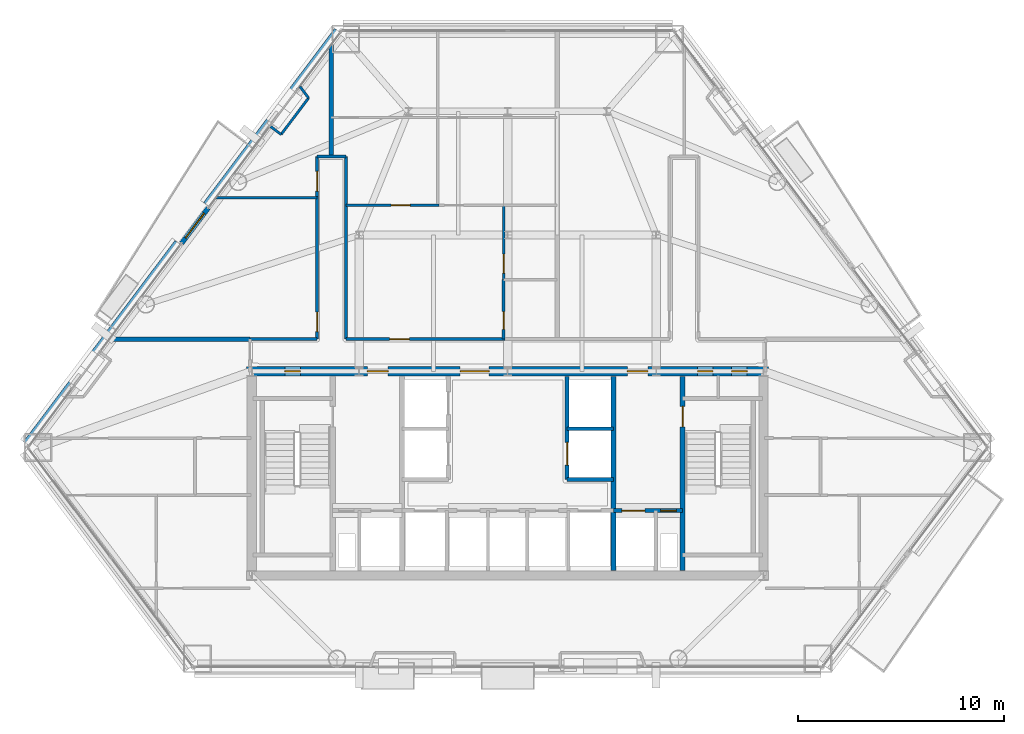
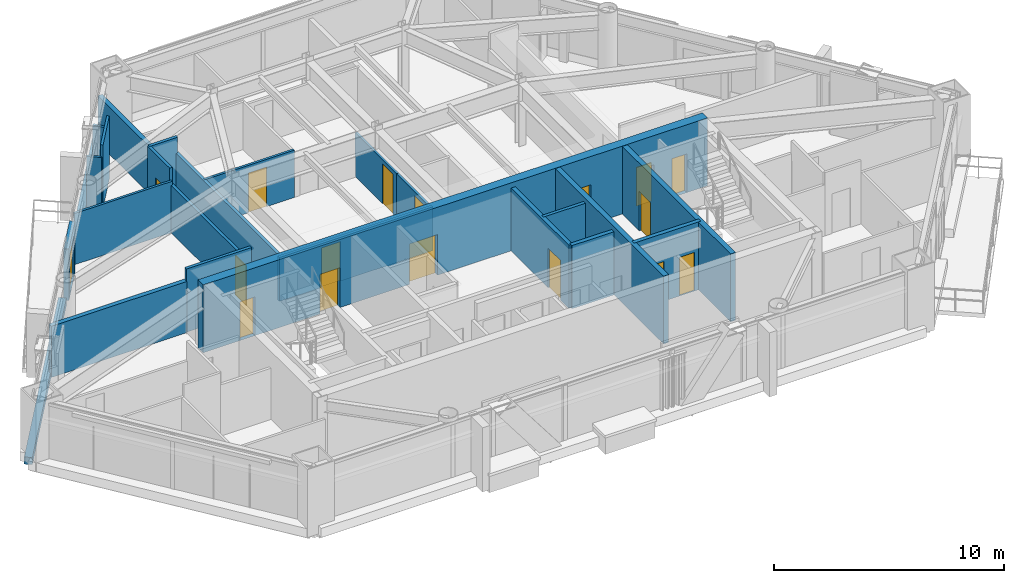
# One storey, part 7 of 11: 25 walls, 17 doors, 17 openings.
"""IFC4 building model written with IfcOpenShell, lengths in metres."""

from ifc_helpers import new_model, si_unit, direction, frame, frame_2d, origin, place, context, subcontext, project, spatial, rectangle, extrude, material, layer, layer_set, type_object, element, fill, save


model = new_model("IFC4")

# Units and contexts
model_context = context("Model", 3, precision=1e-05, world=origin(), true_north=direction((0.0, 1.0)))
body_context = subcontext(model_context, "Body", "Model", "MODEL_VIEW")
ifc_project = project(units=[si_unit("LENGTHUNIT", "METRE"), si_unit("AREAUNIT", "SQUARE_METRE"), si_unit("VOLUMEUNIT", "CUBIC_METRE"), si_unit("PLANEANGLEUNIT", "RADIAN"), si_unit("MASSUNIT", "GRAM", prefix="KILO")], contexts=[model_context])

# Site, building, storey
site_placement = place(None, origin())
site = spatial("IfcSite", under=ifc_project, at=site_placement, CompositionType="ELEMENT")
building_placement = place(site_placement, origin())
building = spatial("IfcBuilding", under=site, at=building_placement, Name="Talgorran Terracotta Tower", CompositionType="ELEMENT")
storey_placement = place(building_placement, frame((0.0, 0.0, 42.300048828125)))
storey = spatial("IfcBuildingStorey", under=building, at=storey_placement, Name="L10", CompositionType="ELEMENT", Elevation=42.300048828125)

# Wall, opening, door
ifc_material_1 = material(Name="Concrete C40/50", Category="concrete")
ifc_layer_1 = layer(ifc_material_1, 0.239990234375, Name="WT_BALCONY_SPAND")
ifc_layer_set_1 = layer_set([ifc_layer_1], Name="Concrete C40/50")
wall_type_1 = type_object("IfcWallType", Name="WT_BALCONY_SPAND", PredefinedType="STANDARD", material=ifc_layer_set_1)
wall_1_placement = place(storey_placement, frame((-14.518310546875, 3.71337890625, -0.01513671875), z_axis=(0.0, 0.0, 1.0), x_axis=(-0.601696267697, -0.79872498486, 0.0)))
wall_1 = element("IfcWall", 1, at=wall_1_placement, inside=storey, type_object=wall_type_1, Name="WL-L10-BALP-BAL-NW", PredefinedType="STANDARD", context=body_context, shape_type="SweptSolid", body=[
    extrude(rectangle(XDim=2.139892578125, YDim=0.239990234375, at=frame_2d((1.06982421875, 0.0))), origin(), (0.0, 0.0, 1.0), 2.728515625),
])
opening_1_placement = place(wall_1_placement, frame((0.320068359375, 0.0, 0.014892578125)))
opening_1 = element("IfcOpeningElement", 2, at=opening_1_placement, cuts=wall_1, Name="Opening D-BAL-L10-2", PredefinedType="OPENING", context=body_context, shape_type="SweptSolid", body=[
    extrude(rectangle(XDim=1.506, YDim=2.203951171875, at=frame_2d((0.75, 1.10205078125))), frame((0.0, 0.1298828125, 0.0), z_axis=(0.0, -1.0, 0.0), x_axis=(1.0, 0.0, 0.0)), (0.0, 0.0, 1.0), 0.260009765625),
])
ifc_material_2 = material(Name="Thermally Broken Aluminium", Category="aluminium")
door_type_1 = type_object("IfcDoorType", Name="DT_BALC_1500", OperationType="SLIDING_TO_RIGHT", PredefinedType="DOOR", material=ifc_material_2)
door_1_placement = place(opening_1_placement, origin())
door_1 = element("IfcDoor", 3, at=door_1_placement, inside=storey, type_object=door_type_1, Name="DR-L10-BAL-BAL-NW", OperationType="SLIDING_TO_RIGHT", OverallHeight=2.199951171875, OverallWidth=1.5, PredefinedType="DOOR", context=body_context, shape_type="SweptSolid", body=[
    extrude(rectangle(XDim=1.5, YDim=2.199951171875, at=frame_2d((0.75, 1.10009765625))), frame((0.0, 0.02490234375, 0.0), z_axis=(0.0, -1.0, 0.0), x_axis=(1.0, 0.0, 0.0)), (0.0, 0.0, 1.0), 0.050048828125),
])
fill(opening_1, door_1)

# Wall, openings, doors
ifc_material_3 = material(Name="Concrete C50/60", Category="concrete")
ifc_layer_2 = layer(ifc_material_3, 0.199951171875, Name="WT_CORE_200")
ifc_layer_set_2 = layer_set([ifc_layer_2], Name="Concrete C50/60")
wall_type_2 = type_object("IfcWallType", Name="WT_CORE_200", PredefinedType="SOLIDWALL", material=ifc_layer_set_2)
wall_2_placement = place(storey_placement, frame((5.1201171875, -10.949951171875, 0.0), z_axis=(0.0, 0.0, 1.0), x_axis=(1.0, 0.0, 0.0)))
wall_2 = element("IfcWall", 4, at=wall_2_placement, inside=storey, type_object=wall_type_2, Name="WL-L10-CW-H-SBE", PredefinedType="SOLIDWALL", context=body_context, shape_type="SweptSolid", body=[
    extrude(rectangle(XDim=3.35986328125, YDim=0.199951171875, at=frame_2d((1.679931640625, 0.0))), origin(), (0.0, 0.0, 1.0), 3.599853515625),
])
opening_2_placement = place(wall_2_placement, frame((0.419921875, 0.0, 0.0)))
opening_2 = element("IfcOpeningElement", 5, at=opening_2_placement, cuts=wall_2, Name="Opening LD-FFL2", PredefinedType="OPENING", context=body_context, shape_type="SweptSolid", body=[
    extrude(rectangle(XDim=1.10609765625, YDim=2.10409765625, at=frame_2d((0.550048828125, 1.052001953125))), frame((0.0, 0.10986328125, 0.0), z_axis=(0.0, -1.0, 0.0), x_axis=(1.0, 0.0, 0.0)), (0.0, 0.0, 1.0), 0.219970703125),
])
opening_3_placement = place(wall_2_placement, frame((2.300048828125, 0.0, 0.0)))
opening_3 = element("IfcOpeningElement", 6, at=opening_3_placement, cuts=wall_2, Name="Opening DR-RSE", PredefinedType="OPENING", context=body_context, shape_type="SweptSolid", body=[
    extrude(rectangle(XDim=0.756, YDim=2.054048828125, at=frame_2d((0.375, 1.027099609375))), frame((0.0, 0.10986328125, 0.0), z_axis=(0.0, -1.0, 0.0), x_axis=(1.0, 0.0, 0.0)), (0.0, 0.0, 1.0), 0.219970703125),
])
ifc_material_4 = material(Name="Brushed Stainless Steel Grade 304", Category="steel")
door_type_2 = type_object("IfcDoorType", Name="DT_LIFT_LD1100", OperationType="DOUBLE_DOOR_SLIDING", PredefinedType="DOOR", material=ifc_material_4)
door_2_placement = place(opening_2_placement, origin())
door_2 = element("IfcDoor", 7, at=door_2_placement, inside=storey, type_object=door_type_2, Name="L10 Lift Landing Door LD-FFL2", OperationType="DOUBLE_DOOR_SLIDING", OverallHeight=2.10009765625, OverallWidth=1.10009765625, PredefinedType="DOOR", context=body_context, shape_type="SweptSolid", body=[
    extrude(rectangle(XDim=1.10009765625, YDim=2.10009765625, at=frame_2d((0.550048828125, 1.050048828125))), frame((0.0, 0.02490234375, 0.0), z_axis=(0.0, -1.0, 0.0), x_axis=(1.0, 0.0, 0.0)), (0.0, 0.0, 1.0), 0.050048828125),
])
fill(opening_2, door_2)
ifc_material_5 = material(Name="Fire-Rated Pressed Steel", Category="steel")
door_type_3 = type_object("IfcDoorType", Name="DT_RISER_750", OperationType="NOTDEFINED", PredefinedType="DOOR", material=ifc_material_5)
door_3_placement = place(opening_3_placement, origin())
door_3 = element("IfcDoor", 8, at=door_3_placement, inside=storey, type_object=door_type_3, Name="DR-RSE", OperationType="SINGLE_SWING_RIGHT", OverallHeight=2.050048828125, OverallWidth=0.75, PredefinedType="DOOR", context=body_context, shape_type="SweptSolid", body=[
    extrude(rectangle(XDim=0.75, YDim=2.050048828125, at=frame_2d((0.375, 1.02490234375))), frame((0.0, 0.02490234375, 0.0), z_axis=(0.0, -1.0, 0.0), x_axis=(1.0, 0.0, 0.0)), (0.0, 0.0, 1.0), 0.050048828125),
])
fill(opening_3, door_3)

# Wall, opening, door
wall_3_placement = place(storey_placement, frame((2.8798828125, -9.449951171875, 0.0), z_axis=(0.0, 0.0, 1.0), x_axis=(0.0, 1.0, 0.0)))
wall_3 = element("IfcWall", 9, at=wall_3_placement, inside=storey, type_object=wall_type_2, Name="WL-L10-CW-V-E3", PredefinedType="SOLIDWALL", context=body_context, shape_type="SweptSolid", body=[
    extrude(rectangle(XDim=5.0, YDim=0.199951171875, at=frame_2d((2.5, 0.0))), origin(), (0.0, 0.0, 1.0), 3.349853515625),
])
opening_4_placement = place(wall_3_placement, frame((0.699951171875, 0.0, 0.0)))
opening_4 = element("IfcOpeningElement", 10, at=opening_4_placement, cuts=wall_3, Name="Opening LD-PLM1", PredefinedType="OPENING", context=body_context, shape_type="SweptSolid", body=[
    extrude(rectangle(XDim=1.10609765625, YDim=2.10409765625, at=frame_2d((0.550048828125, 1.052001953125))), frame((0.0, 0.10986328125, 0.0), z_axis=(0.0, -1.0, 0.0), x_axis=(1.0, 0.0, 0.0)), (0.0, 0.0, 1.0), 0.219970703125),
])
door_4_placement = place(opening_4_placement, origin())
door_4 = element("IfcDoor", 11, at=door_4_placement, inside=storey, type_object=door_type_2, Name="L10 Lift Landing Door LD-PLM1", OperationType="DOUBLE_DOOR_SLIDING", OverallHeight=2.10009765625, OverallWidth=1.10009765625, PredefinedType="DOOR", context=body_context, shape_type="SweptSolid", body=[
    extrude(rectangle(XDim=1.10009765625, YDim=2.10009765625, at=frame_2d((0.550048828125, 1.050048828125))), frame((0.0, 0.02490234375, 0.0), z_axis=(0.0, -1.0, 0.0), x_axis=(1.0, 0.0, 0.0)), (0.0, 0.0, 1.0), 0.050048828125),
])
fill(opening_4, door_4)

# Wall
wall_4_placement = place(storey_placement, frame((2.8798828125, -9.449951171875, 0.0), z_axis=(0.0, 0.0, 1.0), x_axis=(1.0, 0.0, 0.0)))
element("IfcWall", 12, at=wall_4_placement, inside=storey, type_object=wall_type_2, Name="WL-L10-CW-H-E4", PredefinedType="SOLIDWALL", context=body_context, shape_type="SweptSolid", body=[
    extrude(rectangle(XDim=2.240234375, YDim=0.199951171875, at=frame_2d((1.1201171875, 0.0))), origin(), (0.0, 0.0, 1.0), 3.349853515625),
])

# Wall, opening, door
ifc_layer_3 = layer(ifc_material_3, 0.25, Name="WT_CORE_250")
ifc_layer_set_3 = layer_set([ifc_layer_3], Name="Concrete C50/60")
wall_type_3 = type_object("IfcWallType", Name="WT_CORE_250", PredefinedType="SHEAR", material=ifc_layer_set_3)
wall_5_placement = place(storey_placement, frame((8.47998046875, -13.85009765625, 0.0), z_axis=(0.0, 0.0, 1.0), x_axis=(0.0, 1.0, 0.0)))
wall_5 = element("IfcWall", 13, at=wall_5_placement, inside=storey, type_object=wall_type_3, Name="WL-L10-CW-V-E1", PredefinedType="SHEAR", context=body_context, shape_type="SweptSolid", body=[
    extrude(rectangle(XDim=9.400146484375, YDim=0.25, at=frame_2d((4.7001953125, 0.0))), origin(), (0.0, 0.0, 1.0), 3.599853515625),
])
opening_5_placement = place(wall_5_placement, frame((6.949951171875, 0.0, 0.0)))
opening_5 = element("IfcOpeningElement", 14, at=opening_5_placement, cuts=wall_5, Name="Opening DR-ST02", PredefinedType="OPENING", context=body_context, shape_type="SweptSolid", body=[
    extrude(rectangle(XDim=1.006, YDim=2.10409765625, at=frame_2d((0.5, 1.052001953125))), frame((0.0, 0.135009765625, 0.0), z_axis=(0.0, -1.0, 0.0), x_axis=(1.0, 0.0, 0.0)), (0.0, 0.0, 1.0), 0.27001953125),
])
door_type_4 = type_object("IfcDoorType", Name="DT_FIRE_1000", OperationType="NOTDEFINED", PredefinedType="DOOR", material=ifc_material_5)
door_5_placement = place(opening_5_placement, origin())
door_5 = element("IfcDoor", 15, at=door_5_placement, inside=storey, type_object=door_type_4, Name="DR-ST02", OperationType="SINGLE_SWING_RIGHT", OverallHeight=2.10009765625, OverallWidth=1.0, PredefinedType="DOOR", context=body_context, shape_type="SweptSolid", body=[
    extrude(rectangle(XDim=1.0, YDim=2.10009765625, at=frame_2d((0.5, 1.050048828125))), frame((0.0, 0.02490234375, 0.0), z_axis=(0.0, -1.0, 0.0), x_axis=(1.0, 0.0, 0.0)), (0.0, 0.0, 1.0), 0.050048828125),
])
fill(opening_5, door_5)

# Wall
wall_6_placement = place(storey_placement, frame((5.1201171875, -13.85009765625, 0.0), z_axis=(0.0, 0.0, 1.0), x_axis=(0.0, 1.0, 0.0)))
element("IfcWall", 16, at=wall_6_placement, inside=storey, type_object=wall_type_3, Name="WL-L10-CW-V-E2", PredefinedType="SHEAR", context=body_context, shape_type="SweptSolid", body=[
    extrude(rectangle(XDim=9.400146484375, YDim=0.25, at=frame_2d((4.7001953125, 0.0))), origin(), (0.0, 0.0, 1.0), 3.599853515625),
])

# Wall, openings, doors
ifc_material_6 = material(Name="Concrete C65/80", Category="concrete")
ifc_layer_4 = layer(ifc_material_6, 0.449951171875, Name="WT_CORE_EXT")
ifc_layer_set_4 = layer_set([ifc_layer_4], Name="Concrete C65/80")
wall_type_4 = type_object("IfcWallType", Name="WT_CORE_EXT", PredefinedType="SHEAR", material=ifc_layer_set_4)
wall_7_placement = place(storey_placement, frame((-12.64990234375, -4.199951171875, 0.0), z_axis=(0.0, 0.0, 1.0), x_axis=(1.0, 0.0, 0.0)))
wall_7 = element("IfcWall", 17, at=wall_7_placement, inside=storey, type_object=wall_type_4, Name="WL-L10-CW-OUT-N", PredefinedType="SHEAR", context=body_context, shape_type="SweptSolid", body=[
    extrude(rectangle(XDim=25.2998046875, YDim=0.449951171875, at=frame_2d((12.64990234375, 0.0))), origin(), (0.0, 0.0, 1.0), 3.599853515625),
])
opening_6_placement = place(wall_7_placement, frame((1.85009765625, 0.0, 0.0)))
opening_6 = element("IfcOpeningElement", 18, at=opening_6_placement, cuts=wall_7, Name="Opening DR-CSN1", PredefinedType="OPENING", context=body_context, shape_type="SweptSolid", body=[
    extrude(rectangle(XDim=0.756, YDim=2.054048828125, at=frame_2d((0.375, 1.027099609375))), frame((0.0, 0.23486328125, 0.0), z_axis=(0.0, -1.0, 0.0), x_axis=(1.0, 0.0, 0.0)), (0.0, 0.0, 1.0), 0.469970703125),
])
opening_7_placement = place(wall_7_placement, frame((21.85009765625, 0.0, 0.0)))
opening_7 = element("IfcOpeningElement", 19, at=opening_7_placement, cuts=wall_7, Name="Opening DR-CSN2", PredefinedType="OPENING", context=body_context, shape_type="SweptSolid", body=[
    extrude(rectangle(XDim=0.756, YDim=2.054048828125, at=frame_2d((0.375, 1.027099609375))), frame((0.0, 0.23486328125, 0.0), z_axis=(0.0, -1.0, 0.0), x_axis=(1.0, 0.0, 0.0)), (0.0, 0.0, 1.0), 0.469970703125),
])
opening_8_placement = place(wall_7_placement, frame((23.5, 0.0, 0.0)))
opening_8 = element("IfcOpeningElement", 20, at=opening_8_placement, cuts=wall_7, Name="Opening DR-CSN3", PredefinedType="OPENING", context=body_context, shape_type="SweptSolid", body=[
    extrude(rectangle(XDim=0.756, YDim=2.054048828125, at=frame_2d((0.375, 1.027099609375))), frame((0.0, 0.23486328125, 0.0), z_axis=(0.0, -1.0, 0.0), x_axis=(1.0, 0.0, 0.0)), (0.0, 0.0, 1.0), 0.469970703125),
])
opening_9_placement = place(wall_7_placement, frame((5.85009765625, 0.0, 0.0)))
opening_9 = element("IfcOpeningElement", 21, at=opening_9_placement, cuts=wall_7, Name="Opening DR-FFLW-N", PredefinedType="OPENING", context=body_context, shape_type="SweptSolid", body=[
    extrude(rectangle(XDim=1.006, YDim=2.10409765625, at=frame_2d((0.5, 1.052001953125))), frame((0.0, 0.23486328125, 0.0), z_axis=(0.0, -1.0, 0.0), x_axis=(1.0, 0.0, 0.0)), (0.0, 0.0, 1.0), 0.469970703125),
])
opening_10_placement = place(wall_7_placement, frame((10.35009765625, 0.0, 0.0)))
opening_10 = element("IfcOpeningElement", 22, at=opening_10_placement, cuts=wall_7, Name="Opening DR-PLL-N", PredefinedType="OPENING", context=body_context, shape_type="SweptSolid", body=[
    extrude(rectangle(XDim=1.40590234375, YDim=2.15390234375, at=frame_2d((0.699951171875, 1.076904296875))), frame((0.0, 0.23486328125, 0.0), z_axis=(0.0, -1.0, 0.0), x_axis=(1.0, 0.0, 0.0)), (0.0, 0.0, 1.0), 0.469970703125),
])
opening_11_placement = place(wall_7_placement, frame((18.449951171875, 0.0, 0.0)))
opening_11 = element("IfcOpeningElement", 23, at=opening_11_placement, cuts=wall_7, Name="Opening DR-FFLE-N", PredefinedType="OPENING", context=body_context, shape_type="SweptSolid", body=[
    extrude(rectangle(XDim=1.006, YDim=2.10409765625, at=frame_2d((0.5, 1.052001953125))), frame((0.0, 0.23486328125, 0.0), z_axis=(0.0, -1.0, 0.0), x_axis=(1.0, 0.0, 0.0)), (0.0, 0.0, 1.0), 0.469970703125),
])
ifc_material_7 = material(Name="Acoustic Glazed Timber", Category="wood")
door_type_5 = type_object("IfcDoorType", Name="DT_DOUBLE_1400", OperationType="DOUBLE_DOOR_SINGLE_SWING", PredefinedType="DOOR", material=ifc_material_7)
door_6_placement = place(opening_10_placement, origin())
door_6 = element("IfcDoor", 24, at=door_6_placement, inside=storey, type_object=door_type_5, Name="DR-PLL-N", OperationType="DOUBLE_DOOR_SINGLE_SWING", OverallHeight=2.14990234375, OverallWidth=1.39990234375, PredefinedType="DOOR", context=body_context, shape_type="SweptSolid", body=[
    extrude(rectangle(XDim=1.39990234375, YDim=2.14990234375, at=frame_2d((0.699951171875, 1.074951171875))), frame((0.0, 0.02490234375, 0.0), z_axis=(0.0, -1.0, 0.0), x_axis=(1.0, 0.0, 0.0)), (0.0, 0.0, 1.0), 0.050048828125),
])
fill(opening_10, door_6)
door_7_placement = place(opening_9_placement, origin())
door_7 = element("IfcDoor", 25, at=door_7_placement, inside=storey, type_object=door_type_4, Name="DR-FFLW-N", OperationType="SINGLE_SWING_LEFT", OverallHeight=2.10009765625, OverallWidth=1.0, PredefinedType="DOOR", context=body_context, shape_type="SweptSolid", body=[
    extrude(rectangle(XDim=1.0, YDim=2.10009765625, at=frame_2d((0.5, 1.050048828125))), frame((0.0, 0.02490234375, 0.0), z_axis=(0.0, -1.0, 0.0), x_axis=(1.0, 0.0, 0.0)), (0.0, 0.0, 1.0), 0.050048828125),
])
fill(opening_9, door_7)
door_8_placement = place(opening_11_placement, origin())
door_8 = element("IfcDoor", 26, at=door_8_placement, inside=storey, type_object=door_type_4, Name="DR-FFLE-N", OperationType="SINGLE_SWING_RIGHT", OverallHeight=2.10009765625, OverallWidth=1.0, PredefinedType="DOOR", context=body_context, shape_type="SweptSolid", body=[
    extrude(rectangle(XDim=1.0, YDim=2.10009765625, at=frame_2d((0.5, 1.050048828125))), frame((0.0, 0.02490234375, 0.0), z_axis=(0.0, -1.0, 0.0), x_axis=(1.0, 0.0, 0.0)), (0.0, 0.0, 1.0), 0.050048828125),
])
fill(opening_11, door_8)
door_9_placement = place(opening_6_placement, origin())
door_9 = element("IfcDoor", 27, at=door_9_placement, inside=storey, type_object=door_type_3, Name="DR-CSN1", OperationType="SINGLE_SWING_LEFT", OverallHeight=2.050048828125, OverallWidth=0.75, PredefinedType="DOOR", context=body_context, shape_type="SweptSolid", body=[
    extrude(rectangle(XDim=0.75, YDim=2.050048828125, at=frame_2d((0.375, 1.02490234375))), frame((0.0, 0.02490234375, 0.0), z_axis=(0.0, -1.0, 0.0), x_axis=(1.0, 0.0, 0.0)), (0.0, 0.0, 1.0), 0.050048828125),
])
fill(opening_6, door_9)
door_10_placement = place(opening_7_placement, origin())
door_10 = element("IfcDoor", 28, at=door_10_placement, inside=storey, type_object=door_type_3, Name="DR-CSN2", OperationType="SINGLE_SWING_LEFT", OverallHeight=2.050048828125, OverallWidth=0.75, PredefinedType="DOOR", context=body_context, shape_type="SweptSolid", body=[
    extrude(rectangle(XDim=0.75, YDim=2.050048828125, at=frame_2d((0.375, 1.02490234375))), frame((0.0, 0.02490234375, 0.0), z_axis=(0.0, -1.0, 0.0), x_axis=(1.0, 0.0, 0.0)), (0.0, 0.0, 1.0), 0.050048828125),
])
fill(opening_7, door_10)
door_11_placement = place(opening_8_placement, origin())
door_11 = element("IfcDoor", 29, at=door_11_placement, inside=storey, type_object=door_type_3, Name="DR-CSN3", OperationType="SINGLE_SWING_RIGHT", OverallHeight=2.050048828125, OverallWidth=0.75, PredefinedType="DOOR", context=body_context, shape_type="SweptSolid", body=[
    extrude(rectangle(XDim=0.75, YDim=2.050048828125, at=frame_2d((0.375, 1.02490234375))), frame((0.0, 0.02490234375, 0.0), z_axis=(0.0, -1.0, 0.0), x_axis=(1.0, 0.0, 0.0)), (0.0, 0.0, 1.0), 0.050048828125),
])
fill(opening_8, door_11)

# Wall, opening, door
ifc_material_8 = material(Name="Fire-Rated Steel Stud Plasterboard", Category="steel")
ifc_layer_5 = layer(ifc_material_8, 0.14990234375, Name="WT_FIRE_150")
ifc_layer_set_5 = layer_set([ifc_layer_5], Name="Fire-Rated Steel Stud Plasterboard")
wall_type_5 = type_object("IfcWallType", Name="WT_FIRE_150", PredefinedType="PARTITIONING", material=ifc_layer_set_5)
wall_8_placement = place(storey_placement, frame((-7.840087890625, -2.639892578125, 0.0), z_axis=(0.0, 0.0, 1.0), x_axis=(1.0, 0.0, 0.0)))
wall_8 = element("IfcWall", 30, at=wall_8_placement, inside=storey, type_object=wall_type_5, Name="WL-L10-W-L10-R09", PredefinedType="PARTITIONING", context=body_context, shape_type="SweptSolid", body=[
    extrude(rectangle(XDim=7.7001953125, YDim=0.14990234375, at=frame_2d((3.85009765625, 0.0))), origin(), (0.0, 0.0, 1.0), 2.324951171875),
])
opening_12_placement = place(wall_8_placement, frame((2.116943359375, 0.0, 0.0)))
opening_12 = element("IfcOpeningElement", 31, at=opening_12_placement, cuts=wall_8, Name="Opening DR-L10-R15", PredefinedType="OPENING", context=body_context, shape_type="SweptSolid", body=[
    extrude(rectangle(XDim=0.955951171875, YDim=2.10409765625, at=frame_2d((0.47509765625, 1.052001953125))), frame((0.0, 0.0849609375, 0.0), z_axis=(0.0, -1.0, 0.0), x_axis=(1.0, 0.0, 0.0)), (0.0, 0.0, 1.0), 0.169921875),
])
ifc_material_9 = material(Name="Fire-Rated Timber Core", Category="wood")
door_type_6 = type_object("IfcDoorType", Name="DT_FIRE_950", OperationType="NOTDEFINED", PredefinedType="DOOR", material=ifc_material_9)
door_12_placement = place(opening_12_placement, origin())
door_12 = element("IfcDoor", 32, at=door_12_placement, inside=storey, type_object=door_type_6, Name="DR-L10-R15", OperationType="SINGLE_SWING_LEFT", OverallHeight=2.10009765625, OverallWidth=0.949951171875, PredefinedType="DOOR", context=body_context, shape_type="SweptSolid", body=[
    extrude(rectangle(XDim=0.949951171875, YDim=2.10009765625, at=frame_2d((0.47509765625, 1.050048828125))), frame((0.0, 0.02490234375, 0.0), z_axis=(0.0, -1.0, 0.0), x_axis=(1.0, 0.0, 0.0)), (0.0, 0.0, 1.0), 0.050048828125),
])
fill(opening_12, door_12)

wall_9_placement = place(storey_placement, frame((-9.239990234375, -2.639892578125, 0.0), z_axis=(0.0, 0.0, 1.0), x_axis=(0.0, 1.0, 0.0)))
wall_9 = element("IfcWall", 33, at=wall_9_placement, inside=storey, type_object=wall_type_5, Name="WL-L10-W-L10-R04", PredefinedType="PARTITIONING", context=body_context, shape_type="SweptSolid", body=[
    extrude(rectangle(XDim=6.89990234375, YDim=0.14990234375, at=frame_2d((3.449951171875, 0.0))), origin(), (0.0, 0.0, 1.0), 2.509033203125),
])
opening_13_placement = place(wall_9_placement, frame((0.359619140625, 0.0, 0.0)))
opening_13 = element("IfcOpeningElement", 34, at=opening_13_placement, cuts=wall_9, Name="Opening DR-L10-R11", PredefinedType="OPENING", context=body_context, shape_type="SweptSolid", body=[
    extrude(rectangle(XDim=0.955951171875, YDim=2.10409765625, at=frame_2d((0.47509765625, 1.052001953125))), frame((0.0, 0.0849609375, 0.0), z_axis=(0.0, -1.0, 0.0), x_axis=(1.0, 0.0, 0.0)), (0.0, 0.0, 1.0), 0.169921875),
])
door_13_placement = place(opening_13_placement, origin())
door_13 = element("IfcDoor", 35, at=door_13_placement, inside=storey, type_object=door_type_6, Name="DR-L10-R11", OperationType="SINGLE_SWING_LEFT", OverallHeight=2.10009765625, OverallWidth=0.949951171875, PredefinedType="DOOR", context=body_context, shape_type="SweptSolid", body=[
    extrude(rectangle(XDim=0.949951171875, YDim=2.10009765625, at=frame_2d((0.47509765625, 1.050048828125))), frame((0.0, 0.02490234375, 0.0), z_axis=(0.0, -1.0, 0.0), x_axis=(1.0, 0.0, 0.0)), (0.0, 0.0, 1.0), 0.050048828125),
])
fill(opening_13, door_13)

# Walls
wall_10_placement = place(storey_placement, frame((-7.840087890625, -2.639892578125, 0.0), z_axis=(0.0, 0.0, 1.0), x_axis=(0.0, 1.0, 0.0)))
element("IfcWall", 36, at=wall_10_placement, inside=storey, type_object=wall_type_5, Name="WL-L10-W-L10-R08", PredefinedType="PARTITIONING", context=body_context, shape_type="SweptSolid", body=[
    extrude(rectangle(XDim=8.83984375, YDim=0.14990234375, at=frame_2d((4.419921875, 0.0))), origin(), (0.0, 0.0, 1.0), 2.509033203125),
])
wall_11_placement = place(storey_placement, frame((-12.5, -2.639892578125, 0.0), z_axis=(0.0, 0.0, 1.0), x_axis=(1.0, 0.0, 0.0)))
element("IfcWall", 37, at=wall_11_placement, inside=storey, type_object=wall_type_5, Name="WL-L10-W-L10-R03", PredefinedType="PARTITIONING", context=body_context, shape_type="SweptSolid", body=[
    extrude(rectangle(XDim=3.260009765625, YDim=0.14990234375, at=frame_2d((1.6298828125, 0.0))), origin(), (0.0, 0.0, 1.0), 3.349853515625),
])

# Wall, opening, door
wall_12_placement = place(storey_placement, frame((-9.239990234375, 4.261962890625, 0.0), z_axis=(0.0, 0.0, 1.0), x_axis=(0.0, 1.0, 0.0)))
wall_12 = element("IfcWall", 38, at=wall_12_placement, inside=storey, type_object=wall_type_5, Name="WL-L10-W-L10-R05", PredefinedType="PARTITIONING", context=body_context, shape_type="SweptSolid", body=[
    extrude(rectangle(XDim=1.93798828125, YDim=0.14990234375, at=frame_2d((0.968994140625, 0.0))), origin(), (0.0, 0.0, 1.0), 3.349853515625),
])
opening_14_placement = place(wall_12_placement, frame((0.27490234375, 0.0, 0.0)))
opening_14 = element("IfcOpeningElement", 39, at=opening_14_placement, cuts=wall_12, Name="Opening DR-L10-R12", PredefinedType="OPENING", context=body_context, shape_type="SweptSolid", body=[
    extrude(rectangle(XDim=0.955951171875, YDim=2.10409765625, at=frame_2d((0.47509765625, 1.052001953125))), frame((0.0, 0.0849609375, 0.0), z_axis=(0.0, -1.0, 0.0), x_axis=(1.0, 0.0, 0.0)), (0.0, 0.0, 1.0), 0.169921875),
])
door_14_placement = place(opening_14_placement, origin())
door_14 = element("IfcDoor", 40, at=door_14_placement, inside=storey, type_object=door_type_6, Name="DR-L10-R12", OperationType="SINGLE_SWING_RIGHT", OverallHeight=2.10009765625, OverallWidth=0.949951171875, PredefinedType="DOOR", context=body_context, shape_type="SweptSolid", body=[
    extrude(rectangle(XDim=0.949951171875, YDim=2.10009765625, at=frame_2d((0.47509765625, 1.050048828125))), frame((0.0, 0.02490234375, 0.0), z_axis=(0.0, -1.0, 0.0), x_axis=(1.0, 0.0, 0.0)), (0.0, 0.0, 1.0), 0.050048828125),
])
fill(opening_14, door_14)

# Walls
wall_13_placement = place(storey_placement, frame((-9.239990234375, 6.199951171875, 0.0), z_axis=(0.0, 0.0, 1.0), x_axis=(1.0, 0.0, 0.0)))
element("IfcWall", 41, at=wall_13_placement, inside=storey, type_object=wall_type_5, Name="WL-L10-W-L10-R10", PredefinedType="PARTITIONING", context=body_context, shape_type="SweptSolid", body=[
    extrude(rectangle(XDim=1.39990234375, YDim=0.14990234375, at=frame_2d((0.699951171875, 0.0))), origin(), (0.0, 0.0, 1.0), 3.349853515625),
])
ifc_layer_6 = layer(ifc_material_1, 0.219970703125, Name="WT_PARAPET_RC")
ifc_layer_set_6 = layer_set([ifc_layer_6], Name="Concrete C40/50")
wall_type_6 = type_object("IfcWallType", Name="WT_PARAPET_RC", PredefinedType="PARAPET", material=ifc_layer_set_6)
wall_14_placement = place(storey_placement, frame((-8.246826171875, 12.30615234375, -0.199951171875), z_axis=(0.0, 0.0, 1.0), x_axis=(-0.6016246984, -0.798778894486, 0.0)))
element("IfcWall", 42, at=wall_14_placement, inside=storey, type_object=wall_type_6, Name="L10 Striped Portal Precast Cornice F60", PredefinedType="PARAPET", context=body_context, shape_type="SweptSolid", body=[
    extrude(rectangle(XDim=10.546875, YDim=0.360107421875, at=frame_2d((5.2734375, 0.0))), origin(), (0.0, 0.0, 1.0), 0.3798828125),
])
wall_15_placement = place(storey_placement, frame((-15.98779296875, 2.028564453125, -0.199951171875), z_axis=(0.0, 0.0, 1.0), x_axis=(-0.601631217198, -0.798773984612, 0.0)))
element("IfcWall", 43, at=wall_15_placement, inside=storey, type_object=wall_type_6, Name="L10 Striped Portal Precast Cornice F61", PredefinedType="PARAPET", context=body_context, shape_type="SweptSolid", body=[
    extrude(rectangle(XDim=12.1796875, YDim=0.360107421875, at=frame_2d((6.08984375, 0.0))), origin(), (0.0, 0.0, 1.0), 0.3798828125),
])
ifc_material_10 = material(Name="Acoustic Masonry and Plasterboard", Category="masonry")
ifc_layer_7 = layer(ifc_material_10, 0.219970703125, Name="WT_PARTY_220")
ifc_layer_set_7 = layer_set([ifc_layer_7], Name="Acoustic Masonry and Plasterboard")
wall_type_7 = type_object("IfcWallType", Name="WT_PARTY_220", PredefinedType="PARTITIONING", material=ifc_layer_set_7)
wall_16_placement = place(storey_placement, frame((-19.3037109375, -2.639892578125, 0.0), z_axis=(0.0, 0.0, 1.0), x_axis=(1.0, 0.0, 0.0)))
element("IfcWall", 44, at=wall_16_placement, inside=storey, type_object=wall_type_7, Name="WL-L10-W-L10-R20", PredefinedType="PARTITIONING", context=body_context, shape_type="SweptSolid", body=[
    extrude(rectangle(XDim=6.8037109375, YDim=0.219970703125, at=frame_2d((3.40185546875, 0.0))), origin(), (0.0, 0.0, 1.0), 2.71337890625),
])
wall_17_placement = place(storey_placement, frame((-8.56005859375, 6.199951171875, 0.0), z_axis=(0.0, 0.0, 1.0), x_axis=(0.0, 1.0, 0.0)))
element("IfcWall", 45, at=wall_17_placement, inside=storey, type_object=wall_type_7, Name="WL-L10-W-L10-R38", PredefinedType="PARTITIONING", context=body_context, shape_type="SweptSolid", body=[
    extrude(rectangle(XDim=5.424560546875, YDim=0.219970703125, at=frame_2d((2.71240234375, 0.0))), origin(), (0.0, 0.0, 1.0), 2.509033203125),
])
ifc_material_11 = material(Name="Insulated Steel Stud Plasterboard", Category="steel")
ifc_layer_8 = layer(ifc_material_11, 0.1201171875, Name="WT_PART_120")
ifc_layer_set_8 = layer_set([ifc_layer_8], Name="Insulated Steel Stud Plasterboard")
wall_type_8 = type_object("IfcWallType", Name="WT_PART_120", PredefinedType="PARTITIONING", material=ifc_layer_set_8)
wall_18_placement = place(storey_placement, frame((-14.152099609375, 4.199951171875, 0.0), z_axis=(0.0, 0.0, 1.0), x_axis=(1.0, 0.0, 0.0)))
element("IfcWall", 46, at=wall_18_placement, inside=storey, type_object=wall_type_8, Name="WL-L10-W-L10-R36", PredefinedType="PARTITIONING", context=body_context, shape_type="SweptSolid", body=[
    extrude(rectangle(XDim=4.912109375, YDim=0.1201171875, at=frame_2d((2.4560546875, 0.0))), origin(), (0.0, 0.0, 1.0), 2.71337890625),
])

# Wall, opening, door
wall_19_placement = place(storey_placement, frame((-7.840087890625, 3.840087890625, 0.0), z_axis=(0.0, 0.0, 1.0), x_axis=(1.0, 0.0, 0.0)))
wall_19 = element("IfcWall", 47, at=wall_19_placement, inside=storey, type_object=wall_type_8, Name="WL-L10-W-L10-R45", PredefinedType="PARTITIONING", context=body_context, shape_type="SweptSolid", body=[
    extrude(rectangle(XDim=4.5, YDim=0.1201171875, at=frame_2d((2.25, 0.0))), origin(), (0.0, 0.0, 1.0), 2.509033203125),
])
opening_15_placement = place(wall_19_placement, frame((2.1875, 0.0, 0.0)))
opening_15 = element("IfcOpeningElement", 48, at=opening_15_placement, cuts=wall_19, Name="Opening DR-L10-R16", PredefinedType="OPENING", context=body_context, shape_type="SweptSolid", body=[
    extrude(rectangle(XDim=0.925921875, YDim=2.10409765625, at=frame_2d((0.4599609375, 1.052001953125))), frame((0.0, 0.070068359375, 0.0), z_axis=(0.0, -1.0, 0.0), x_axis=(1.0, 0.0, 0.0)), (0.0, 0.0, 1.0), 0.14013671875),
])
ifc_material_12 = material(Name="Solid-Core Painted Timber", Category="wood")
door_type_7 = type_object("IfcDoorType", Name="DT_INT_920", OperationType="NOTDEFINED", PredefinedType="DOOR", material=ifc_material_12)
door_15_placement = place(opening_15_placement, origin())
door_15 = element("IfcDoor", 49, at=door_15_placement, inside=storey, type_object=door_type_7, Name="DR-L10-R16", OperationType="SINGLE_SWING_RIGHT", OverallHeight=2.10009765625, OverallWidth=0.919921875, PredefinedType="DOOR", context=body_context, shape_type="SweptSolid", body=[
    extrude(rectangle(XDim=0.919921875, YDim=2.10009765625, at=frame_2d((0.4599609375, 1.050048828125))), frame((0.0, 0.02490234375, 0.0), z_axis=(0.0, -1.0, 0.0), x_axis=(1.0, 0.0, 0.0)), (0.0, 0.0, 1.0), 0.050048828125),
])
fill(opening_15, door_15)

wall_20_placement = place(storey_placement, frame((-0.199951171875, 0.239990234375, 0.0), z_axis=(0.0, 0.0, 1.0), x_axis=(0.0, 1.0, 0.0)))
wall_20 = element("IfcWall", 50, at=wall_20_placement, inside=storey, type_object=wall_type_8, Name="WL-L10-W-L10-R42", PredefinedType="PARTITIONING", context=body_context, shape_type="SweptSolid", body=[
    extrude(rectangle(XDim=3.60009765625, YDim=0.1201171875, at=frame_2d((1.800048828125, 0.0))), origin(), (0.0, 0.0, 1.0), 2.324951171875),
])
opening_16_placement = place(wall_20_placement, frame((0.320068359375, 0.0, 0.0)))
opening_16 = element("IfcOpeningElement", 51, at=opening_16_placement, cuts=wall_20, Name="Opening DR-L10-R14", PredefinedType="OPENING", context=body_context, shape_type="SweptSolid", body=[
    extrude(rectangle(XDim=0.925921875, YDim=2.10409765625, at=frame_2d((0.4599609375, 1.052001953125))), frame((0.0, 0.070068359375, 0.0), z_axis=(0.0, -1.0, 0.0), x_axis=(1.0, 0.0, 0.0)), (0.0, 0.0, 1.0), 0.14013671875),
])
door_16_placement = place(opening_16_placement, origin())
door_16 = element("IfcDoor", 52, at=door_16_placement, inside=storey, type_object=door_type_7, Name="DR-L10-R14", OperationType="SINGLE_SWING_RIGHT", OverallHeight=2.10009765625, OverallWidth=0.919921875, PredefinedType="DOOR", context=body_context, shape_type="SweptSolid", body=[
    extrude(rectangle(XDim=0.919921875, YDim=2.10009765625, at=frame_2d((0.4599609375, 1.050048828125))), frame((0.0, 0.02490234375, 0.0), z_axis=(0.0, -1.0, 0.0), x_axis=(1.0, 0.0, 0.0)), (0.0, 0.0, 1.0), 0.050048828125),
])
fill(opening_16, door_16)

# Walls
wall_21_placement = place(storey_placement, frame((-9.65087890625, 9.045654296875, 0.0), z_axis=(0.0, 0.0, 1.0), x_axis=(-0.60167490335, -0.798741078622, 0.0)))
element("IfcWall", 53, at=wall_21_placement, inside=storey, type_object=wall_type_8, Name="WL-L10-BW-L10-14", PredefinedType="PARTITIONING", context=body_context, shape_type="SweptSolid", body=[
    extrude(rectangle(XDim=2.2138671875, YDim=0.1201171875, at=frame_2d((1.10693359375, 0.0))), origin(), (0.0, 0.0, 1.0), 3.349853515625),
])
wall_22_placement = place(storey_placement, frame((-10.0703125, 9.602783203125, 0.0), z_axis=(0.0, 0.0, 1.0), x_axis=(0.601455382011, -0.79890639217, 0.0)))
element("IfcWall", 54, at=wall_22_placement, inside=storey, type_object=wall_type_8, Name="WL-L10-BW-L10-13", PredefinedType="PARTITIONING", context=body_context, shape_type="SweptSolid", body=[
    extrude(rectangle(XDim=0.697265625, YDim=0.1201171875, at=frame_2d((0.3486328125, 0.0))), origin(), (0.0, 0.0, 1.0), 2.71337890625),
])
wall_23_placement = place(storey_placement, frame((-10.98291015625, 7.27734375, 0.0), z_axis=(0.0, 0.0, 1.0), x_axis=(-0.798773936271, 0.601631281379, 0.0)))
element("IfcWall", 55, at=wall_23_placement, inside=storey, type_object=wall_type_8, Name="WL-L10-BW-L10-15", PredefinedType="PARTITIONING", context=body_context, shape_type="SweptSolid", body=[
    extrude(rectangle(XDim=0.669921875, YDim=0.1201171875, at=frame_2d((0.3349609375, 0.0))), origin(), (0.0, 0.0, 1.0), 2.71337890625),
])

# Wall, opening, door
ifc_material_13 = material(Name="Moisture-Resistant Stud Wall")
ifc_layer_9 = layer(ifc_material_13, 0.135009765625, Name="WT_PART_135")
ifc_layer_set_9 = layer_set([ifc_layer_9], Name="Moisture-Resistant Stud Wall")
wall_type_9 = type_object("IfcWallType", Name="WT_PART_135", PredefinedType="PARTITIONING", material=ifc_layer_set_9)
wall_24_placement = place(storey_placement, frame((-0.199951171875, -2.639892578125, 0.0), z_axis=(0.0, 0.0, 1.0), x_axis=(0.0, 1.0, 0.0)))
wall_24 = element("IfcWall", 56, at=wall_24_placement, inside=storey, type_object=wall_type_9, Name="WL-L10-W-L10-R40", PredefinedType="PARTITIONING", context=body_context, shape_type="SweptSolid", body=[
    extrude(rectangle(XDim=2.8798828125, YDim=0.135009765625, at=frame_2d((1.43994140625, 0.0))), origin(), (0.0, 0.0, 1.0), 2.324951171875),
])
opening_17_placement = place(wall_24_placement, frame((0.47802734375, 0.0, 0.0)))
opening_17 = element("IfcOpeningElement", 57, at=opening_17_placement, cuts=wall_24, Name="Opening DR-L10-R13", PredefinedType="OPENING", context=body_context, shape_type="SweptSolid", body=[
    extrude(rectangle(XDim=0.85609765625, YDim=2.10409765625, at=frame_2d((0.425048828125, 1.052001953125))), frame((0.0, 0.07763671875, 0.0), z_axis=(0.0, -1.0, 0.0), x_axis=(1.0, 0.0, 0.0)), (0.0, 0.0, 1.0), 0.155029296875),
])
ifc_material_14 = material(Name="Moisture-Resistant Solid Timber", Category="wood")
door_type_8 = type_object("IfcDoorType", Name="DT_INT_850", OperationType="NOTDEFINED", PredefinedType="DOOR", material=ifc_material_14)
door_17_placement = place(opening_17_placement, origin())
door_17 = element("IfcDoor", 58, at=door_17_placement, inside=storey, type_object=door_type_8, Name="DR-L10-R13", OperationType="SINGLE_SWING_LEFT", OverallHeight=2.10009765625, OverallWidth=0.85009765625, PredefinedType="DOOR", context=body_context, shape_type="SweptSolid", body=[
    extrude(rectangle(XDim=0.85009765625, YDim=2.10009765625, at=frame_2d((0.425048828125, 1.050048828125))), frame((0.0, 0.02490234375, 0.0), z_axis=(0.0, -1.0, 0.0), x_axis=(1.0, 0.0, 0.0)), (0.0, 0.0, 1.0), 0.050048828125),
])
fill(opening_17, door_17)

# Wall
ifc_material_15 = material(Name="Fire-Rated Shaftwall")
ifc_layer_10 = layer(ifc_material_15, 0.159912109375, Name="WT_PART_150")
ifc_layer_set_10 = layer_set([ifc_layer_10], Name="Fire-Rated Shaftwall")
wall_type_10 = type_object("IfcWallType", Name="WT_PART_150", PredefinedType="PARTITIONING", material=ifc_layer_set_10)
wall_25_placement = place(storey_placement, frame((2.8798828125, -6.97998046875, 0.0), z_axis=(0.0, 0.0, 1.0), x_axis=(1.0, 0.0, 0.0)))
element("IfcWall", 59, at=wall_25_placement, inside=storey, type_object=wall_type_10, Name="WL-L10-CW-PLM-DIV", PredefinedType="PARTITIONING", context=body_context, shape_type="SweptSolid", body=[
    extrude(rectangle(XDim=2.240234375, YDim=0.159912109375, at=frame_2d((1.1201171875, 0.0))), origin(), (0.0, 0.0, 1.0), 3.349853515625),
])

save(model, "model.ifc")
